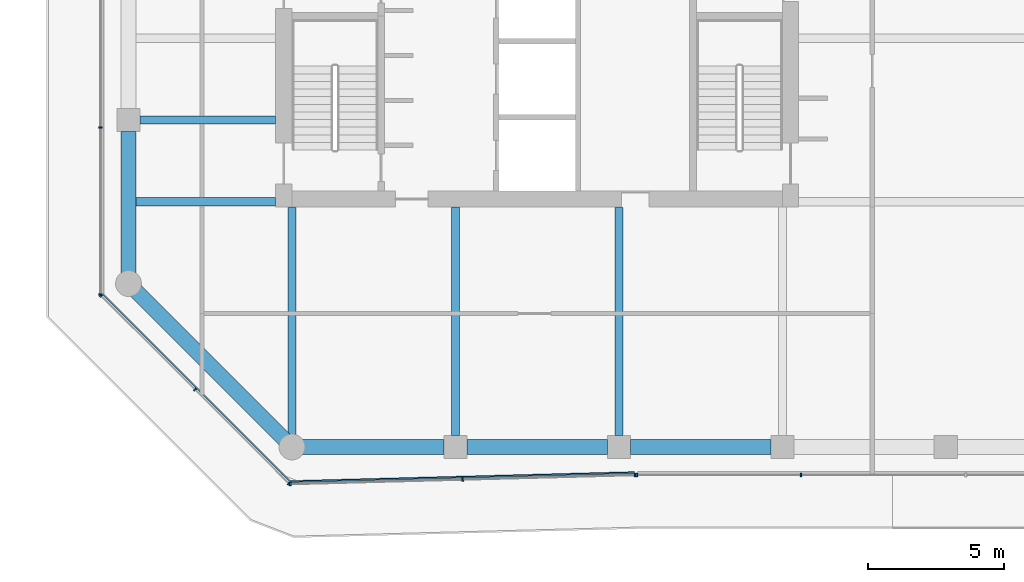
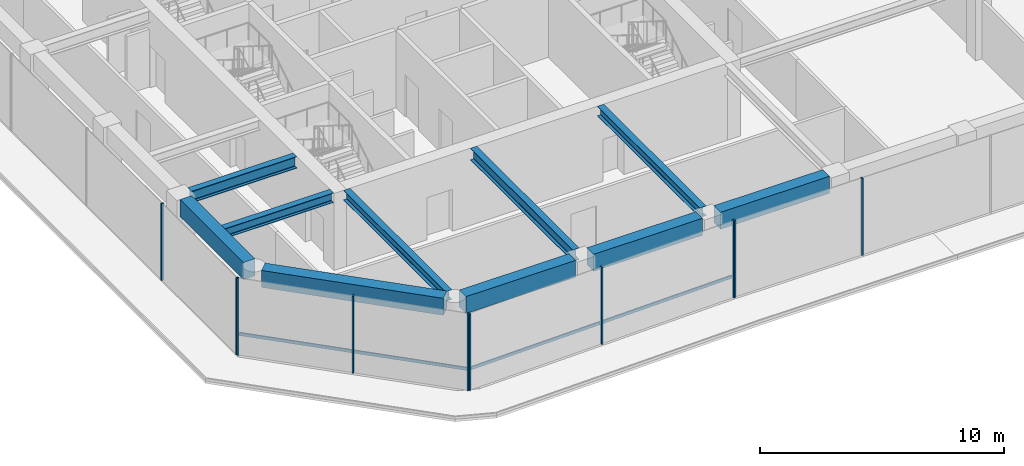
# One storey, part 2 of 20: 12 members, 10 beams, 4 elements without a shape of their own.
"""IFC4 building model written with IfcOpenShell, lengths in metres."""

from ifc_helpers import new_model, si_unit, direction, frame, origin, origin_2d, place, context, subcontext, project, spatial, rectangle, i_section, extrude, material, layer, layer_set, material_profile, profile_set, type_object, element, aggregate, save


model = new_model("IFC4")

# Units and contexts
model_context = context("Model", 3, precision=1e-05, world=origin(), true_north=direction((0.0, 1.0)))
body_context = subcontext(model_context, "Body", "Model", "MODEL_VIEW")
ifc_project = project(units=[si_unit("LENGTHUNIT", "METRE"), si_unit("AREAUNIT", "SQUARE_METRE"), si_unit("VOLUMEUNIT", "CUBIC_METRE"), si_unit("PLANEANGLEUNIT", "RADIAN"), si_unit("MASSUNIT", "GRAM", prefix="KILO")], contexts=[model_context])

# Site, building, storey
site_placement = place(None, origin())
site = spatial("IfcSite", under=ifc_project, at=site_placement, CompositionType="ELEMENT")
building_placement = place(site_placement, origin())
building = spatial("IfcBuilding", under=site, at=building_placement, Name="Welwitschia Terrace Campus", CompositionType="ELEMENT")
storey_placement = place(building_placement, frame((0.0, 0.0, 176.0)))
storey = spatial("IfcBuildingStorey", under=building, at=storey_placement, Name="L39", CompositionType="ELEMENT", Elevation=176.0)

# Beams
ifc_material_1 = material(Name="Steel S355", Category="steel")
ifc_material_profile_1 = material_profile(ifc_material_1, i_section(OverallWidth=0.300048828125, OverallDepth=0.489990234375, WebThickness=0.011962890625, FlangeThickness=0.02294921875, FilletRadius=0.027099609375, at=origin_2d()))
ifc_profile_set_1 = profile_set([ifc_material_profile_1], Name="Steel S355")
beam_type_1 = type_object("IfcBeamType", Name="Interior girder HE 500 A", PredefinedType="BEAM", material=ifc_profile_set_1)
beam_1_placement = place(storey_placement, frame((-0.010009765625, 5.0, 3.60498046875), z_axis=(1.0, 0.0, 0.0), x_axis=(0.0, 1.0, 0.0)))
element("IfcBeam", 1, at=beam_1_placement, inside=storey, type_object=beam_type_1, Name="Girder GB4", PredefinedType="BEAM", context=body_context, shape_type="SweptSolid", body=[
    extrude(i_section(OverallWidth=0.300048828125, OverallDepth=0.489990234375, WebThickness=0.011962890625, FlangeThickness=0.02294921875, FilletRadius=0.027099609375, at=origin_2d()), origin(), (0.0, 0.0, 1.0), 5.408935546875),
])
beam_2_placement = place(storey_placement, frame((6.0, -3.55859375, 3.60498046875), z_axis=(0.0, 1.0, 0.0), x_axis=(-1.0, 0.0, 0.0)))
element("IfcBeam", 2, at=beam_2_placement, inside=storey, type_object=beam_type_1, Name="Girder GB4", PredefinedType="BEAM", context=body_context, shape_type="SweptSolid", body=[
    extrude(i_section(OverallWidth=0.300048828125, OverallDepth=0.489990234375, WebThickness=0.011962890625, FlangeThickness=0.02294921875, FilletRadius=0.027099609375, at=origin_2d()), origin(), (0.0, 0.0, 1.0), 8.357666015625),
])
beam_3_placement = place(storey_placement, frame((18.0, -3.58447265625, 3.60498046875), z_axis=(0.0, 1.0, 0.0), x_axis=(-1.0, 0.0, 0.0)))
element("IfcBeam", 3, at=beam_3_placement, inside=storey, type_object=beam_type_1, Name="Girder GB4", PredefinedType="BEAM", context=body_context, shape_type="SweptSolid", body=[
    extrude(i_section(OverallWidth=0.300048828125, OverallDepth=0.489990234375, WebThickness=0.011962890625, FlangeThickness=0.02294921875, FilletRadius=0.027099609375, at=origin_2d()), origin(), (0.0, 0.0, 1.0), 8.383544921875),
])

# Curtain wall, members
ifc_material_2 = material(Name="Bronze anodised aluminium", Category="aluminium")
ifc_layer = layer(ifc_material_2, 0.1201171875)
ifc_layer_set = layer_set([ifc_layer], Name="Bronze anodised aluminium")
curtain_wall_type = type_object("IfcCurtainWallType", Name="Curtain wall CW2 tower 6000", PredefinedType="NOTDEFINED", material=ifc_layer_set)
curtain_wall_1_placement = place(storey_placement, origin())
curtain_wall_1 = element("IfcCurtainWall", 4, at=curtain_wall_1_placement, inside=storey, type_object=curtain_wall_type, Name="CW L39.0.0", PredefinedType="NOTDEFINED")
ifc_material_3 = material(Name="Bronze anodised aluminium", Category="aluminium")
ifc_material_profile_2 = material_profile(ifc_material_3, rectangle(XDim=0.1201171875, YDim=0.06005859375, at=origin_2d()))
ifc_profile_set_2 = profile_set([ifc_material_profile_2], Name="Bronze anodised aluminium")
member_type_1 = type_object("IfcMemberType", Name="Mullion 60x120", PredefinedType="MULLION", material=ifc_profile_set_2)
member_1_placement = place(storey_placement, frame((-1.030029296875, 7.729248046875, 0.0), z_axis=(0.0, 0.0, 1.0), x_axis=(1.0, 0.0, 0.0)))
member_1 = element("IfcMember", 5, at=member_1_placement, type_object=member_type_1, Name="Mullion L39.0.0.3", PredefinedType="MULLION", context=body_context, shape_type="SweptSolid", body=[
    extrude(rectangle(XDim=0.1201171875, YDim=0.06005859375, at=origin_2d()), origin(), (0.0, 0.0, 1.0), 3.85009765625),
])
member_2_placement = place(storey_placement, frame((-1.030029296875, 1.603271484375, 0.0), z_axis=(0.0, 0.0, 1.0), x_axis=(1.0, 0.0, 0.0)))
member_2 = element("IfcMember", 6, at=member_2_placement, type_object=member_type_1, Name="Mullion L39.0.0.4", PredefinedType="MULLION", context=body_context, shape_type="SweptSolid", body=[
    extrude(rectangle(XDim=0.1201171875, YDim=0.06005859375, at=origin_2d()), origin(), (0.0, 0.0, 1.0), 3.85009765625),
])
aggregate(curtain_wall_1, [member_1, member_2])

curtain_wall_2_placement = place(storey_placement, origin())
curtain_wall_2 = element("IfcCurtainWall", 7, at=curtain_wall_2_placement, inside=storey, type_object=curtain_wall_type, Name="CW L39.1.0", PredefinedType="NOTDEFINED")
member_3_placement = place(storey_placement, frame((-1.0087890625, 1.55224609375, 0.0), z_axis=(0.0, 0.0, 1.0), x_axis=(0.707106781187, 0.707106781187, 0.0)))
member_3 = element("IfcMember", 8, at=member_3_placement, type_object=member_type_1, Name="Mullion L39.1.0.0", PredefinedType="MULLION", context=body_context, shape_type="SweptSolid", body=[
    extrude(rectangle(XDim=0.1201171875, YDim=0.06005859375, at=origin_2d()), origin(), (0.0, 0.0, 1.0), 3.85009765625),
])
member_4_placement = place(storey_placement, frame((2.438232421875, -1.894775390625, 0.0), z_axis=(0.0, 0.0, 1.0), x_axis=(0.707106781187, 0.707106781187, 0.0)))
member_4 = element("IfcMember", 9, at=member_4_placement, type_object=member_type_1, Name="Mullion L39.1.0.1", PredefinedType="MULLION", context=body_context, shape_type="SweptSolid", body=[
    extrude(rectangle(XDim=0.1201171875, YDim=0.06005859375, at=origin_2d()), origin(), (0.0, 0.0, 1.0), 3.85009765625),
])
member_5_placement = place(storey_placement, frame((5.88525390625, -5.341796875, 0.0), z_axis=(0.0, 0.0, 1.0), x_axis=(0.707106781187, 0.707106781187, 0.0)))
member_5 = element("IfcMember", 10, at=member_5_placement, type_object=member_type_1, Name="Mullion L39.1.0.2", PredefinedType="MULLION", context=body_context, shape_type="SweptSolid", body=[
    extrude(rectangle(XDim=0.1201171875, YDim=0.06005859375, at=origin_2d()), origin(), (0.0, 0.0, 1.0), 3.85009765625),
])

curtain_wall_3_placement = place(storey_placement, origin())
curtain_wall_3 = element("IfcCurtainWall", 11, at=curtain_wall_3_placement, inside=storey, type_object=curtain_wall_type, Name="CW L39.2.0", PredefinedType="NOTDEFINED")
member_6_placement = place(storey_placement, frame((5.9365234375, -5.3623046875, 0.0), z_axis=(0.0, 0.0, 1.0), x_axis=(-0.026176948308, 0.999657324976, 0.0)))
member_6 = element("IfcMember", 12, at=member_6_placement, type_object=member_type_1, Name="Mullion L39.2.0.0", PredefinedType="MULLION", context=body_context, shape_type="SweptSolid", body=[
    extrude(rectangle(XDim=0.1201171875, YDim=0.06005859375, at=origin_2d()), origin(), (0.0, 0.0, 1.0), 3.85009765625),
])
member_7_placement = place(storey_placement, frame((12.266357421875, -5.196533203125, 0.0), z_axis=(0.0, 0.0, 1.0), x_axis=(-0.026176948308, 0.999657324976, 0.0)))
member_7 = element("IfcMember", 13, at=member_7_placement, type_object=member_type_1, Name="Mullion L39.2.0.1", PredefinedType="MULLION", context=body_context, shape_type="SweptSolid", body=[
    extrude(rectangle(XDim=0.1201171875, YDim=0.06005859375, at=origin_2d()), origin(), (0.0, 0.0, 1.0), 3.85009765625),
])
member_8_placement = place(storey_placement, frame((18.59619140625, -5.03076171875, 0.0), z_axis=(0.0, 0.0, 1.0), x_axis=(-0.026176948308, 0.999657324976, 0.0)))
member_8 = element("IfcMember", 14, at=member_8_placement, type_object=member_type_1, Name="Mullion L39.2.0.2", PredefinedType="MULLION", context=body_context, shape_type="SweptSolid", body=[
    extrude(rectangle(XDim=0.1201171875, YDim=0.06005859375, at=origin_2d()), origin(), (0.0, 0.0, 1.0), 3.85009765625),
])

curtain_wall_4_placement = place(storey_placement, origin())
curtain_wall_4 = element("IfcCurtainWall", 15, at=curtain_wall_4_placement, inside=storey, type_object=curtain_wall_type, Name="CW L39.3.0", PredefinedType="NOTDEFINED")
member_9_placement = place(storey_placement, frame((18.65625, -5.030029296875, 0.0), z_axis=(0.0, 0.0, 1.0), x_axis=(0.0, 1.0, 0.0)))
member_9 = element("IfcMember", 16, at=member_9_placement, type_object=member_type_1, Name="Mullion L39.3.0.0", PredefinedType="MULLION", context=body_context, shape_type="SweptSolid", body=[
    extrude(rectangle(XDim=0.1201171875, YDim=0.06005859375, at=origin_2d()), origin(), (0.0, 0.0, 1.0), 3.85009765625),
])
member_10_placement = place(storey_placement, frame((24.677978515625, -5.030029296875, 0.0), z_axis=(0.0, 0.0, 1.0), x_axis=(0.0, 1.0, 0.0)))
member_10 = element("IfcMember", 17, at=member_10_placement, type_object=member_type_1, Name="Mullion L39.3.0.1", PredefinedType="MULLION", context=body_context, shape_type="SweptSolid", body=[
    extrude(rectangle(XDim=0.1201171875, YDim=0.06005859375, at=origin_2d()), origin(), (0.0, 0.0, 1.0), 3.85009765625),
])
aggregate(curtain_wall_4, [member_9, member_10])

# Beams
ifc_material_4 = material(Name="Steel S355", Category="steel")
ifc_material_profile_3 = material_profile(ifc_material_4, i_section(OverallWidth=0.300048828125, OverallDepth=0.590087890625, WebThickness=0.012939453125, FlangeThickness=0.02490234375, FilletRadius=0.027099609375, at=origin_2d()))
ifc_profile_set_3 = profile_set([ifc_material_profile_3], Name="Steel S355")
beam_type_2 = type_object("IfcBeamType", Name="Primary beam HE 600 A", PredefinedType="BEAM", material=ifc_profile_set_3)
beam_4_placement = place(storey_placement, frame((12.0, -3.574462890625, 3.554931640625), z_axis=(0.0, 1.0, 0.0), x_axis=(-1.0, 0.0, 0.0)))
element("IfcBeam", 18, at=beam_4_placement, inside=storey, type_object=beam_type_2, Name="Primary beam PB4", PredefinedType="BEAM", context=body_context, shape_type="SweptSolid", body=[
    extrude(i_section(OverallWidth=0.300048828125, OverallDepth=0.590087890625, WebThickness=0.012939453125, FlangeThickness=0.02490234375, FilletRadius=0.027099609375, at=origin_2d()), origin(), (0.0, 0.0, 1.0), 8.37451171875),
])
beam_5_placement = place(storey_placement, frame((0.425537109375, 8.0, 3.554931640625), z_axis=(1.0, 0.0, 0.0), x_axis=(0.0, 1.0, 0.0)))
element("IfcBeam", 19, at=beam_5_placement, inside=storey, type_object=beam_type_2, Name="Primary beam PB4", PredefinedType="BEAM", context=body_context, shape_type="SweptSolid", body=[
    extrude(i_section(OverallWidth=0.300048828125, OverallDepth=0.590087890625, WebThickness=0.012939453125, FlangeThickness=0.02490234375, FilletRadius=0.027099609375, at=origin_2d()), origin(), (0.0, 0.0, 1.0), 4.974365234375),
])
ifc_material_5 = material(Name="Concrete C50/60", Category="concrete")
ifc_material_profile_4 = material_profile(ifc_material_5, rectangle(XDim=0.550048828125, YDim=0.85009765625, at=origin_2d()))
ifc_profile_set_4 = profile_set([ifc_material_profile_4], Name="Concrete C50/60")
beam_type_3 = type_object("IfcBeamType", Name="Ring spandrel 550x850", PredefinedType="SPANDREL", material=ifc_profile_set_4)
beam_6_placement = place(storey_placement, frame((0.2744140625, 1.7255859375, 3.425048828125), z_axis=(0.707106781187, -0.707106781187, 0.0), x_axis=(0.707106781187, 0.707106781187, 0.0)))
element("IfcBeam", 20, at=beam_6_placement, inside=storey, type_object=beam_type_3, Name="Spandrel SP3", PredefinedType="SPANDREL", context=body_context, shape_type="SweptSolid", body=[
    extrude(rectangle(XDim=0.550048828125, YDim=0.85009765625, at=origin_2d()), origin(), (0.0, 0.0, 1.0), 7.709228515625),
])
beam_7_placement = place(storey_placement, frame((6.387939453125, -4.0, 3.425048828125), z_axis=(1.0, 0.0, 0.0), x_axis=(0.0, 1.0, 0.0)))
element("IfcBeam", 21, at=beam_7_placement, inside=storey, type_object=beam_type_3, Name="Spandrel SP3", PredefinedType="SPANDREL", context=body_context, shape_type="SweptSolid", body=[
    extrude(rectangle(XDim=0.550048828125, YDim=0.85009765625, at=origin_2d()), origin(), (0.0, 0.0, 1.0), 5.1865234375),
])
for number, where, z_axis, x_axis, name in (
    (22, (12.425537109375, -4.0, 3.425048828125), (1.0, 0.0, 0.0), (0.0, 1.0, 0.0), "Spandrel SP3"),
    (23, (18.425537109375, -4.0, 3.425048828125), (1.0, 0.0, 0.0), (0.0, 1.0, 0.0), "Spandrel SP3"),
):
    element("IfcBeam", number, at=place(storey_placement, frame(where, z_axis=z_axis, x_axis=x_axis)), inside=storey, type_object=beam_type_3, Name=name, PredefinedType="SPANDREL", context=body_context, shape_type="SweptSolid", body=[
        extrude(rectangle(XDim=0.550048828125, YDim=0.85009765625, at=origin_2d()), origin(), (0.0, 0.0, 1.0), 5.14892578125),
    ])
beam_8_placement = place(storey_placement, frame((0.0, 7.574462890625, 3.425048828125), z_axis=(0.0, -1.0, 0.0), x_axis=(1.0, 0.0, 0.0)))
element("IfcBeam", 24, at=beam_8_placement, inside=storey, type_object=beam_type_3, Name="Spandrel SP3", PredefinedType="SPANDREL", context=body_context, shape_type="SweptSolid", body=[
    extrude(rectangle(XDim=0.550048828125, YDim=0.85009765625, at=origin_2d()), origin(), (0.0, 0.0, 1.0), 5.1865234375),
])

# Member
ifc_material_6 = material(Name="Bronze anodised aluminium", Category="aluminium")
ifc_material_profile_5 = material_profile(ifc_material_6, rectangle(XDim=0.06005859375, YDim=0.14990234375, at=origin_2d()))
ifc_profile_set_5 = profile_set([ifc_material_profile_5], Name="Bronze anodised aluminium")
member_type_2 = type_object("IfcMemberType", Name="Transom 60x150", PredefinedType="USERDEFINED", material=ifc_profile_set_5)
member_11_placement = place(storey_placement, frame((-0.923828125, 1.594482421875, 1.0), z_axis=(0.707106781187, -0.707106781187, 0.0), x_axis=(0.707106781187, 0.707106781187, 0.0)))
member_11 = element("IfcMember", 25, at=member_11_placement, type_object=member_type_2, Name="Transom L39.1.0", ObjectType="TRANSOM", PredefinedType="USERDEFINED", context=body_context, shape_type="SweptSolid", body=[
    extrude(rectangle(XDim=0.06005859375, YDim=0.14990234375, at=origin_2d()), origin(), (0.0, 0.0, 1.0), 9.689453125),
])

aggregate(curtain_wall_2, [member_3, member_4, member_5, member_11])

member_12_placement = place(storey_placement, frame((5.964111328125, -5.271484375, 1.0), z_axis=(0.999657542503, 0.026168639964, 0.0), x_axis=(-0.026168639964, 0.999657542503, 0.0)))
member_12 = element("IfcMember", 26, at=member_12_placement, type_object=member_type_2, Name="Transom L39.2.0", ObjectType="TRANSOM", PredefinedType="USERDEFINED", context=body_context, shape_type="SweptSolid", body=[
    extrude(rectangle(XDim=0.06005859375, YDim=0.14990234375, at=origin_2d()), origin(), (0.0, 0.0, 1.0), 12.604248046875),
])

aggregate(curtain_wall_3, [member_6, member_7, member_8, member_12])

save(model, "model.ifc")
